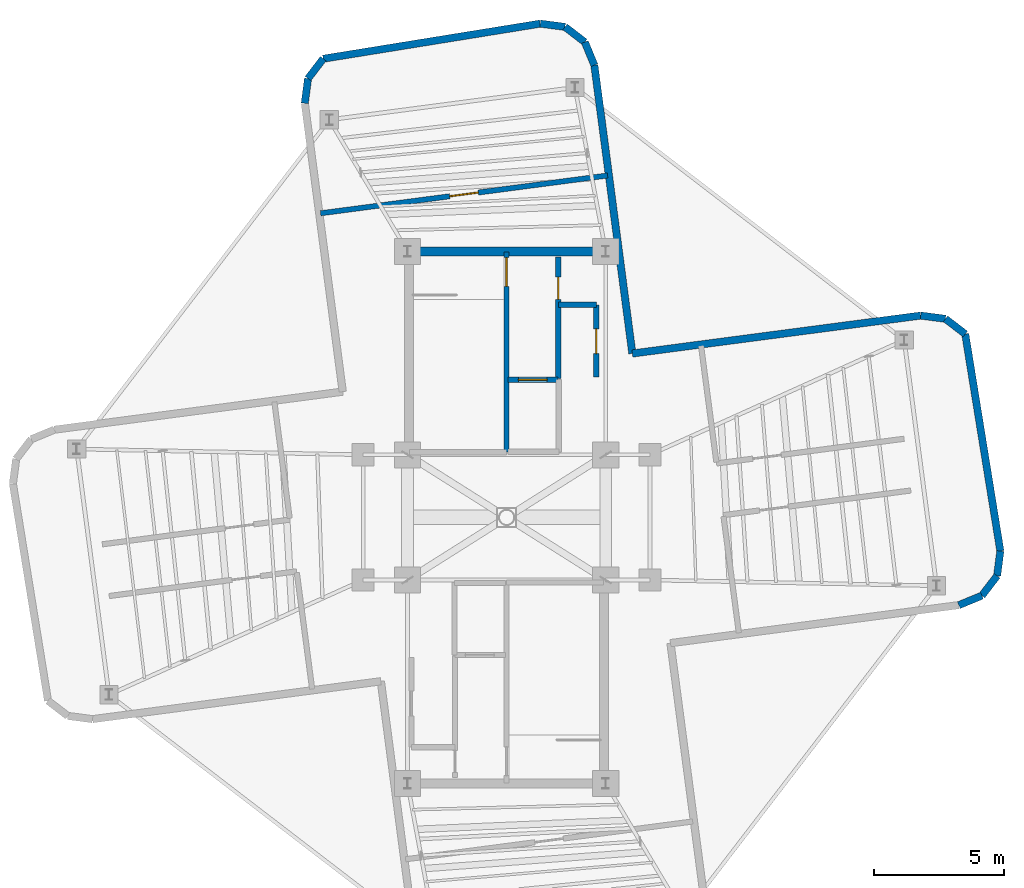
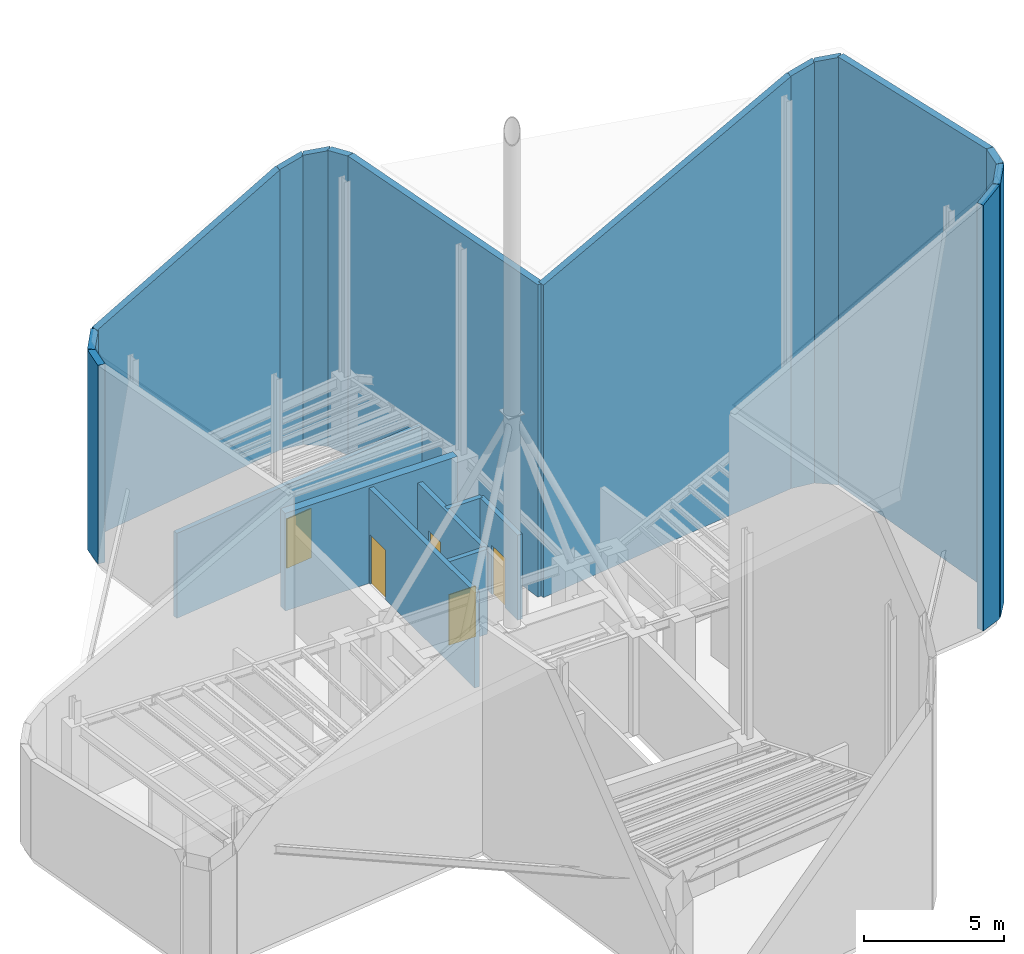
# One storey, part 7 of 8: 21 walls, 5 doors, 5 openings.
"""IFC4 building model written with IfcOpenShell, lengths in metres."""

from ifc_helpers import new_model, si_unit, direction, frame, frame_2d, origin, origin_2d, place, context, subcontext, project, spatial, polyline, rectangle, outline, extrude, source, transform, mapped, material, layer, layer_set, type_object, element, fill, save


model = new_model("IFC4")

# Units and contexts
model_context = context("Model", 3, precision=1e-05, world=origin(), true_north=direction((0.0, 1.0)))
body_context = subcontext(model_context, "Body", "Model", "MODEL_VIEW")
ifc_project = project(units=[si_unit("LENGTHUNIT", "METRE"), si_unit("AREAUNIT", "SQUARE_METRE"), si_unit("VOLUMEUNIT", "CUBIC_METRE"), si_unit("PLANEANGLEUNIT", "RADIAN"), si_unit("MASSUNIT", "GRAM", prefix="KILO")], contexts=[model_context])

# Site, building, storey
site_placement = place(None, origin())
site = spatial("IfcSite", under=ifc_project, at=site_placement, CompositionType="ELEMENT")
building_placement = place(site_placement, origin())
building = spatial("IfcBuilding", under=site, at=building_placement, Name="Sahyath Konkavel Grand Hotel", CompositionType="ELEMENT")
storey_placement = place(building_placement, frame((0.0, 0.0, 300.300048828125)))
storey = spatial("IfcBuildingStorey", under=building, at=storey_placement, Name="L83", CompositionType="ELEMENT", Elevation=300.300048828125)

# Wall
ifc_material_1 = material(Name="Concrete C40/50", Category="concrete")
ifc_layer_1 = layer(ifc_material_1, 0.35009765625)
ifc_layer_set_1 = layer_set([ifc_layer_1], Name="Concrete C40/50")
wall_type_1 = type_object("IfcWallType", Name="CWALL-350", PredefinedType="SHEAR", material=ifc_layer_set_1)
wall_1_placement = place(storey_placement, frame((-3.550048828125, 10.199951171875, 0.0), z_axis=(0.0, 0.0, 1.0), x_axis=(1.0, 0.0, 0.0)))
element("IfcWall", 1, at=wall_1_placement, inside=storey, type_object=wall_type_1, Name="L83 North Core Shear Wall N", PredefinedType="SHEAR", context=body_context, shape_type="SweptSolid", body=[
    extrude(rectangle(XDim=7.10009765625, YDim=0.35009765625, at=frame_2d((3.550048828125, 0.0))), origin(), (0.0, 0.0, 1.0), 4.25),
])

# Wall, opening, door
ifc_layer_2 = layer(ifc_material_1, 0.199951171875)
ifc_layer_set_2 = layer_set([ifc_layer_2], Name="Concrete C40/50")
wall_type_2 = type_object("IfcWallType", Name="WLL-CORE-200", PredefinedType="SOLIDWALL", material=ifc_layer_set_2)
wall_2_placement = place(storey_placement, frame((0.0, 2.5, 0.0), z_axis=(0.0, 0.0, 1.0), x_axis=(0.0, 1.0, 0.0)))
wall_2 = element("IfcWall", 2, at=wall_2_placement, inside=storey, type_object=wall_type_2, Name="L83 Stair ST-1 Shaft Wall E", PredefinedType="SOLIDWALL", context=body_context, shape_type="SweptSolid", body=[
    extrude(rectangle(XDim=7.679931640625, YDim=0.199951171875, at=frame_2d((3.83984375, 0.0))), origin(), (0.0, 0.0, 1.0), 4.14990234375),
])
opening_1_placement = place(wall_2_placement, frame((6.360107421875, 0.0, 0.0)))
opening_1 = element("IfcOpeningElement", 3, at=opening_1_placement, cuts=wall_2, Name="Opening D-F12B", PredefinedType="OPENING", context=body_context, shape_type="SweptSolid", body=[
    extrude(rectangle(XDim=1.10009765625, YDim=2.14990234375, at=frame_2d((0.550048828125, 1.074951171875))), frame((0.0, 0.10986328125, 0.0), z_axis=(0.0, -1.0, 0.0), x_axis=(1.0, 0.0, 0.0)), (0.0, 0.0, 1.0), 0.219970703125),
])
ifc_material_2 = material(Name="Steel E350 Smokeproof Fire Door", Category="steel")
door_type_1 = type_object("IfcDoorType", Name="DR-FD120-1100", OperationType="NOTDEFINED", PredefinedType="DOOR", material=ifc_material_2)
shared_shape_1 = source(origin(), body_context, "Body", "SweptSolid", [
    extrude(rectangle(XDim=1.10009765625, YDim=0.050048828125, at=origin_2d()), origin(), (0.0, 0.0, 1.0), 2.14990234375),
])
door_1_placement = place(opening_1_placement, frame((0.550048828125, 0.0, 0.0)))
door_1 = element("IfcDoor", 4, at=door_1_placement, inside=storey, type_object=door_type_1, Name="L83 Stair ST-1 Fire Door", OperationType="SINGLE_SWING_LEFT", OverallHeight=2.14990234375, OverallWidth=1.10009765625, PredefinedType="DOOR", context=body_context, shape_type="MappedRepresentation", body=[
    mapped(shared_shape_1, transform((0.0, 0.0, 0.0), scale=1.0)),
])
fill(opening_1, door_1)

wall_3_placement = place(storey_placement, frame((1.97998046875, 5.320068359375, 0.0), z_axis=(0.0, 0.0, 1.0), x_axis=(0.0, 1.0, 0.0)))
wall_3 = element("IfcWall", 5, at=wall_3_placement, inside=storey, type_object=wall_type_2, Name="L83 North Firefighting Lobby Wall E", PredefinedType="SOLIDWALL", context=body_context, shape_type="SweptSolid", body=[
    extrude(rectangle(XDim=4.659912109375, YDim=0.199951171875, at=frame_2d((2.330078125, 0.0))), origin(), (0.0, 0.0, 1.0), 3.699951171875),
])
opening_2_placement = place(wall_3_placement, frame((3.0400390625, 0.0, 0.0)))
opening_2 = element("IfcOpeningElement", 6, at=opening_2_placement, cuts=wall_3, Name="Opening D-F12D", PredefinedType="OPENING", context=body_context, shape_type="SweptSolid", body=[
    extrude(rectangle(XDim=0.85009765625, YDim=2.10009765625, at=frame_2d((0.425048828125, 1.050048828125))), frame((0.0, 0.10986328125, 0.0), z_axis=(0.0, -1.0, 0.0), x_axis=(1.0, 0.0, 0.0)), (0.0, 0.0, 1.0), 0.219970703125),
])
ifc_material_3 = material(Name="Steel E350 Core Fire Door", Category="steel")
door_type_2 = type_object("IfcDoorType", Name="DR-FD120-850", OperationType="NOTDEFINED", PredefinedType="DOOR", material=ifc_material_3)
shared_shape_2 = source(origin(), body_context, "Body", "SweptSolid", [
    extrude(rectangle(XDim=0.85009765625, YDim=0.050048828125, at=origin_2d()), origin(), (0.0, 0.0, 1.0), 2.10009765625),
])
door_2_placement = place(opening_2_placement, frame((0.425048828125, 0.0, 0.0)))
door_2 = element("IfcDoor", 7, at=door_2_placement, inside=storey, type_object=door_type_2, Name="L83 North Firefighting Lobby Door", OperationType="SINGLE_SWING_LEFT", OverallHeight=2.10009765625, OverallWidth=0.85009765625, PredefinedType="DOOR", context=body_context, shape_type="MappedRepresentation", body=[
    mapped(shared_shape_2, transform((0.0, 0.0, 0.0), scale=1.0)),
])
fill(opening_2, door_2)

wall_4_placement = place(storey_placement, frame((0.050048828125, 5.280029296875, 0.0), z_axis=(0.0, 0.0, 1.0), x_axis=(1.0, 0.0, 0.0)))
wall_4 = element("IfcWall", 8, at=wall_4_placement, inside=storey, type_object=wall_type_2, Name="L83 Partition SH-FFL1-N", PredefinedType="SOLIDWALL", context=body_context, shape_type="SweptSolid", body=[
    extrude(rectangle(XDim=1.929931640625, YDim=0.199951171875, at=frame_2d((0.96484375, 0.0))), origin(), (0.0, 0.0, 1.0), 3.699951171875),
])
opening_3_placement = place(wall_4_placement, frame((0.39990234375, 0.0, 0.0)))
opening_3 = element("IfcOpeningElement", 9, at=opening_3_placement, cuts=wall_4, Name="Opening LD-11", PredefinedType="OPENING", context=body_context, shape_type="SweptSolid", body=[
    extrude(rectangle(XDim=1.10009765625, YDim=2.199951171875, at=frame_2d((0.550048828125, 1.10009765625))), frame((0.0, 0.10986328125, 0.0), z_axis=(0.0, -1.0, 0.0), x_axis=(1.0, 0.0, 0.0)), (0.0, 0.0, 1.0), 0.219970703125),
])
ifc_material_4 = material(Name="Bronze Lift Landing Door 1100")
door_type_3 = type_object("IfcDoorType", Name="DR-LIFT-1100", OperationType="DOUBLE_DOOR_SLIDING", PredefinedType="DOOR", material=ifc_material_4)
shared_shape_3 = source(origin(), body_context, "Body", "SweptSolid", [
    extrude(rectangle(XDim=1.10009765625, YDim=0.050048828125, at=origin_2d()), origin(), (0.0, 0.0, 1.0), 2.199951171875),
])
door_3_placement = place(opening_3_placement, frame((0.550048828125, 0.0, 0.0)))
door_3 = element("IfcDoor", 10, at=door_3_placement, inside=storey, type_object=door_type_3, Name="L83 Lift FFL-1 Landing Door", OperationType="DOUBLE_DOOR_SLIDING", OverallHeight=2.199951171875, OverallWidth=1.10009765625, PredefinedType="DOOR", context=body_context, shape_type="MappedRepresentation", body=[
    mapped(shared_shape_3, transform((0.0, 0.0, 0.0), scale=1.0)),
])
fill(opening_3, door_3)

wall_5_placement = place(storey_placement, frame((3.43994140625, 5.3798828125, 0.0), z_axis=(0.0, 0.0, 1.0), x_axis=(0.0, 1.0, 0.0)))
wall_5 = element("IfcWall", 11, at=wall_5_placement, inside=storey, type_object=wall_type_2, Name="L83 Reclaimed North Core Wall E", PredefinedType="SOLIDWALL", context=body_context, shape_type="SweptSolid", body=[
    extrude(rectangle(XDim=2.77001953125, YDim=0.199951171875, at=frame_2d((1.385009765625, 0.0))), origin(), (0.0, 0.0, 1.0), 3.699951171875),
])
opening_4_placement = place(wall_5_placement, frame((0.89990234375, 0.0, 0.0)))
opening_4 = element("IfcOpeningElement", 12, at=opening_4_placement, cuts=wall_5, Name="Opening D-F06B", PredefinedType="OPENING", context=body_context, shape_type="SweptSolid", body=[
    extrude(rectangle(XDim=0.949951171875, YDim=2.14990234375, at=frame_2d((0.47509765625, 1.074951171875))), frame((0.0, 0.10986328125, 0.0), z_axis=(0.0, -1.0, 0.0), x_axis=(1.0, 0.0, 0.0)), (0.0, 0.0, 1.0), 0.219970703125),
])
ifc_material_5 = material(Name="Teak Veneer Fire-Rated Guest Entrance Door")
door_type_4 = type_object("IfcDoorType", Name="DR-FD60-950", OperationType="NOTDEFINED", PredefinedType="DOOR", material=ifc_material_5)
shared_shape_4 = source(origin(), body_context, "Body", "SweptSolid", [
    extrude(rectangle(XDim=0.949951171875, YDim=0.050048828125, at=origin_2d()), origin(), (0.0, 0.0, 1.0), 2.14990234375),
])
door_4_placement = place(opening_4_placement, frame((0.47509765625, 0.0, 0.0)))
door_4 = element("IfcDoor", 13, at=door_4_placement, inside=storey, type_object=door_type_4, Name="L83 Door NC-REC1-D", OperationType="SINGLE_SWING_LEFT", OverallHeight=2.14990234375, OverallWidth=0.949951171875, PredefinedType="DOOR", context=body_context, shape_type="MappedRepresentation", body=[
    mapped(shared_shape_4, transform((0.0, 0.0, 0.0), scale=1.0)),
])
fill(opening_4, door_4)

# Wall
wall_6_placement = place(storey_placement, frame((1.97998046875, 8.14990234375, 0.0), z_axis=(0.0, 0.0, 1.0), x_axis=(1.0, 0.0, 0.0)))
element("IfcWall", 14, at=wall_6_placement, inside=storey, type_object=wall_type_2, Name="L83 Partition NC-REC-N", PredefinedType="SOLIDWALL", context=body_context, shape_type="SweptSolid", body=[
    extrude(rectangle(XDim=1.4599609375, YDim=0.199951171875, at=frame_2d((0.72998046875, 0.0))), origin(), (0.0, 0.0, 1.0), 3.699951171875),
])

# Wall, opening, door
wall_7_placement = place(storey_placement, frame((3.872314453125, 13.107666015625, 0.0), z_axis=(0.0, 0.0, 1.0), x_axis=(-0.991443437127, -0.130537009991, 0.0)))
wall_7 = element("IfcWall", 15, at=wall_7_placement, inside=storey, type_object=wall_type_2, Name="L83 Partition CP-TEL-IN", PredefinedType="SOLIDWALL", context=body_context, shape_type="SweptSolid", body=[
    extrude(rectangle(XDim=11.10009765625, YDim=0.199951171875, at=frame_2d((5.550048828125, 0.0))), origin(), (0.0, 0.0, 1.0), 3.699951171875),
])
opening_5_placement = place(wall_7_placement, frame((5.0, 0.0, 0.0)))
opening_5 = element("IfcOpeningElement", 16, at=opening_5_placement, cuts=wall_7, Name="Opening D-F12B", PredefinedType="OPENING", context=body_context, shape_type="SweptSolid", body=[
    extrude(rectangle(XDim=1.10009765625, YDim=2.14990234375, at=frame_2d((0.550048828125, 1.074951171875))), frame((0.0, 0.10986328125, 0.0), z_axis=(0.0, -1.0, 0.0), x_axis=(1.0, 0.0, 0.0)), (0.0, 0.0, 1.0), 0.219970703125),
])
door_5_placement = place(opening_5_placement, frame((0.550048828125, 0.0, 0.0)))
door_5 = element("IfcDoor", 17, at=door_5_placement, inside=storey, type_object=door_type_1, Name="L83 Door CP-TEL-D", OperationType="SINGLE_SWING_LEFT", OverallHeight=2.14990234375, OverallWidth=1.10009765625, PredefinedType="DOOR", context=body_context, shape_type="MappedRepresentation", body=[
    mapped(shared_shape_1, transform((0.0, 0.0, 0.0), scale=1.0)),
])
fill(opening_5, door_5)

# Walls
ifc_material_6 = material(Name="Warm Buff Sandstone Insulated Concrete C40/50", Category="masonry")
ifc_layer_3 = layer(ifc_material_6, 0.280029296875)
ifc_layer_set_3 = layer_set([ifc_layer_3], Name="Warm Buff Sandstone Insulated Concrete C40/50")
wall_type_3 = type_object("IfcWallType", Name="WLL-CROWN-CLAD", PredefinedType="SOLIDWALL", material=ifc_layer_set_3)
wall_8_placement = place(storey_placement, frame((17.337646484375, -3.36572265625, 0.0), z_axis=(0.0, 0.0, 1.0), x_axis=(0.923889442397, 0.382659506909, 0.0)))
element("IfcWall", 18, at=wall_8_placement, inside=storey, type_object=wall_type_3, Name="L83 Sloped Crown Sandstone Cladding Wall 1", PredefinedType="SOLIDWALL", context=body_context, shape_type="SweptSolid", body=[
    extrude(outline(polyline([(0.0, 0.0), (0.957763671875, 0.0), (0.957763671875, 18.8779296875), (0.0, 18.529052734375), (0.0, 0.0)])), frame((0.0, 0.14013671875, 0.0), z_axis=(0.0, -1.0, 0.0), x_axis=(1.0, 0.0, 0.0)), (0.0, 0.0, 1.0), 0.280029296875),
])
wall_9_placement = place(storey_placement, frame((18.222412109375, -2.999267578125, 0.0), z_axis=(0.0, 0.0, 1.0), x_axis=(0.608774010809, 0.793343685778, 0.0)))
element("IfcWall", 19, at=wall_9_placement, inside=storey, type_object=wall_type_3, Name="L83 Sloped Crown Sandstone Cladding Wall 2", PredefinedType="SOLIDWALL", context=body_context, shape_type="SweptSolid", body=[
    extrude(outline(polyline([(0.0, 0.0), (0.957763671875, 0.0), (0.95751953125, 19.10791015625), (0.0, 18.8779296875), (0.0, 0.0)])), frame((0.0, 0.14013671875, 0.0), z_axis=(0.0, -1.0, 0.0), x_axis=(1.0, 0.0, 0.0)), (0.0, 0.0, 1.0), 0.280029296875),
])
wall_10_placement = place(storey_placement, frame((18.805419921875, -2.239501953125, 0.0), z_axis=(0.0, 0.0, 1.0), x_axis=(0.130527053476, 0.991444747987, 0.0)))
element("IfcWall", 20, at=wall_10_placement, inside=storey, type_object=wall_type_3, Name="L83 Sloped Crown Sandstone Cladding Wall 3", PredefinedType="SOLIDWALL", context=body_context, shape_type="SweptSolid", body=[
    extrude(outline(polyline([(0.0, 0.0), (0.957763671875, 0.0), (0.957763671875, 19.156982421875), (0.0, 19.10791015625), (0.0, 0.0)])), frame((0.0, 0.14013671875, 0.0), z_axis=(0.0, -1.0, 0.0), x_axis=(1.0, 0.0, 0.0)), (0.0, 0.0, 1.0), 0.280029296875),
])
wall_11_placement = place(storey_placement, frame((18.930419921875, -1.2900390625, 0.0), z_axis=(0.0, 0.0, 1.0), x_axis=(-0.159629483961, 0.987176999251, 0.0)))
element("IfcWall", 21, at=wall_11_placement, inside=storey, type_object=wall_type_3, Name="L83 Sloped Crown Sandstone Cladding Wall 4", PredefinedType="SOLIDWALL", context=body_context, shape_type="SweptSolid", body=[
    extrude(outline(polyline([(0.0, 0.0), (8.4287109375, 0.0), (8.428466796875, 18.626953125), (0.0, 19.156982421875), (0.0, 0.0)])), frame((0.0, 0.14013671875, 0.0), z_axis=(0.0, -1.0, 0.0), x_axis=(1.0, 0.0, 0.0)), (0.0, 0.0, 1.0), 0.280029296875),
])
wall_12_placement = place(storey_placement, frame((17.5849609375, 7.030517578125, 0.0), z_axis=(0.0, 0.0, 1.0), x_axis=(-0.793466811674, 0.60861352168, 0.0)))
element("IfcWall", 22, at=wall_12_placement, inside=storey, type_object=wall_type_3, Name="L83 Sloped Crown Sandstone Cladding Wall 5", PredefinedType="SOLIDWALL", context=body_context, shape_type="SweptSolid", body=[
    extrude(outline(polyline([(0.0, 0.0), (0.95751953125, 0.0), (0.95751953125, 18.327880859375), (0.0, 18.626953125), (0.0, 0.0)])), frame((0.0, 0.14013671875, 0.0), z_axis=(0.0, -1.0, 0.0), x_axis=(1.0, 0.0, 0.0)), (0.0, 0.0, 1.0), 0.280029296875),
])
wall_13_placement = place(storey_placement, frame((16.8251953125, 7.61328125, 0.0), z_axis=(0.0, 0.0, 1.0), x_axis=(-0.991444747987, 0.130527053476, 0.0)))
element("IfcWall", 23, at=wall_13_placement, inside=storey, type_object=wall_type_3, Name="L83 Sloped Crown Sandstone Cladding Wall 6", PredefinedType="SOLIDWALL", context=body_context, shape_type="SweptSolid", body=[
    extrude(outline(polyline([(0.0, 0.0), (0.957763671875, 0.0), (0.95751953125, 17.953857421875), (0.0, 18.327880859375), (0.0, 0.0)])), frame((0.0, 0.14013671875, 0.0), z_axis=(0.0, -1.0, 0.0), x_axis=(1.0, 0.0, 0.0)), (0.0, 0.0, 1.0), 0.280029296875),
])
wall_14_placement = place(storey_placement, frame((15.875732421875, 7.73828125, 0.0), z_axis=(0.0, 0.0, 1.0), x_axis=(-0.991445499165, -0.130521347626, 0.0)))
element("IfcWall", 24, at=wall_14_placement, inside=storey, type_object=wall_type_3, Name="L83 Sloped Crown Sandstone Cladding Wall 7", PredefinedType="SOLIDWALL", context=body_context, shape_type="SweptSolid", body=[
    extrude(outline(polyline([(0.0, 0.0), (11.150146484375, 0.0), (11.150146484375, 13.598876953125), (0.0, 17.953857421875), (0.0, 0.0)])), frame((0.0, 0.14013671875, 0.0), z_axis=(0.0, -1.0, 0.0), x_axis=(1.0, 0.0, 0.0)), (0.0, 0.0, 1.0), 0.280029296875),
])
wall_15_placement = place(storey_placement, frame((4.821044921875, 6.282958984375, 0.0), z_axis=(0.0, 0.0, 1.0), x_axis=(-0.130521347626, 0.991445499165, 0.0)))
element("IfcWall", 25, at=wall_15_placement, inside=storey, type_object=wall_type_3, Name="L83 Sloped Crown Sandstone Cladding Wall 8", PredefinedType="SOLIDWALL", context=body_context, shape_type="SweptSolid", body=[
    extrude(outline(polyline([(0.0, 0.0), (11.150146484375, 0.0), (11.14990234375, 13.02587890625), (0.0, 13.598876953125), (0.0, 0.0)])), frame((0.0, 0.14013671875, 0.0), z_axis=(0.0, -1.0, 0.0), x_axis=(1.0, 0.0, 0.0)), (0.0, 0.0, 1.0), 0.280029296875),
])
wall_16_placement = place(storey_placement, frame((3.36572265625, 17.337646484375, 0.0), z_axis=(0.0, 0.0, 1.0), x_axis=(-0.382659506909, 0.923889442397, 0.0)))
element("IfcWall", 26, at=wall_16_placement, inside=storey, type_object=wall_type_3, Name="L83 Sloped Crown Sandstone Cladding Wall 9", PredefinedType="SOLIDWALL", context=body_context, shape_type="SweptSolid", body=[
    extrude(outline(polyline([(0.0, 0.0), (0.957763671875, 0.0), (0.957763671875, 12.880859375), (0.0, 13.02587890625), (0.0, 0.0)])), frame((0.0, 0.14013671875, 0.0), z_axis=(0.0, -1.0, 0.0), x_axis=(1.0, 0.0, 0.0)), (0.0, 0.0, 1.0), 0.280029296875),
])
wall_17_placement = place(storey_placement, frame((2.999267578125, 18.222412109375, 0.0), z_axis=(0.0, 0.0, 1.0), x_axis=(-0.793343685778, 0.608774010809, 0.0)))
element("IfcWall", 27, at=wall_17_placement, inside=storey, type_object=wall_type_3, Name="L83 Sloped Crown Sandstone Cladding Wall 10", PredefinedType="SOLIDWALL", context=body_context, shape_type="SweptSolid", body=[
    extrude(outline(polyline([(0.0, 0.0), (0.957763671875, 0.0), (0.95751953125, 12.58203125), (0.0, 12.880859375), (0.0, 0.0)])), frame((0.0, 0.14013671875, 0.0), z_axis=(0.0, -1.0, 0.0), x_axis=(1.0, 0.0, 0.0)), (0.0, 0.0, 1.0), 0.280029296875),
])
wall_18_placement = place(storey_placement, frame((2.239501953125, 18.805419921875, 0.0), z_axis=(0.0, 0.0, 1.0), x_axis=(-0.991444747987, 0.130527053476, 0.0)))
element("IfcWall", 28, at=wall_18_placement, inside=storey, type_object=wall_type_3, Name="L83 Sloped Crown Sandstone Cladding Wall 11", PredefinedType="SOLIDWALL", context=body_context, shape_type="SweptSolid", body=[
    extrude(outline(polyline([(0.0, 0.0), (0.957763671875, 0.0), (0.957763671875, 12.2080078125), (0.0, 12.58203125), (0.0, 0.0)])), frame((0.0, 0.14013671875, 0.0), z_axis=(0.0, -1.0, 0.0), x_axis=(1.0, 0.0, 0.0)), (0.0, 0.0, 1.0), 0.280029296875),
])
wall_19_placement = place(storey_placement, frame((1.2900390625, 18.930419921875, 0.0), z_axis=(0.0, 0.0, 1.0), x_axis=(-0.987176999251, -0.159629483961, 0.0)))
element("IfcWall", 29, at=wall_19_placement, inside=storey, type_object=wall_type_3, Name="L83 Sloped Crown Sandstone Cladding Wall 12", PredefinedType="SOLIDWALL", context=body_context, shape_type="SweptSolid", body=[
    extrude(outline(polyline([(0.0, 0.0), (8.4287109375, 0.0), (8.428466796875, 8.930908203125), (0.0, 12.2080078125), (0.0, 0.0)])), frame((0.0, 0.14013671875, 0.0), z_axis=(0.0, -1.0, 0.0), x_axis=(1.0, 0.0, 0.0)), (0.0, 0.0, 1.0), 0.280029296875),
])
wall_20_placement = place(storey_placement, frame((-7.030517578125, 17.5849609375, 0.0), z_axis=(0.0, 0.0, 1.0), x_axis=(-0.60861352168, -0.793466811674, 0.0)))
element("IfcWall", 30, at=wall_20_placement, inside=storey, type_object=wall_type_3, Name="L83 Sloped Crown Sandstone Cladding Wall 13", PredefinedType="SOLIDWALL", context=body_context, shape_type="SweptSolid", body=[
    extrude(outline(polyline([(0.0, 0.0), (0.95751953125, 0.0), (0.95751953125, 8.700927734375), (0.0, 8.930908203125), (0.0, 0.0)])), frame((0.0, 0.14013671875, 0.0), z_axis=(0.0, -1.0, 0.0), x_axis=(1.0, 0.0, 0.0)), (0.0, 0.0, 1.0), 0.280029296875),
])
wall_21_placement = place(storey_placement, frame((-7.61328125, 16.8251953125, 0.0), z_axis=(0.0, 0.0, 1.0), x_axis=(-0.130527053476, -0.991444747987, 0.0)))
element("IfcWall", 31, at=wall_21_placement, inside=storey, type_object=wall_type_3, Name="L83 Sloped Crown Sandstone Cladding Wall 14", PredefinedType="SOLIDWALL", context=body_context, shape_type="SweptSolid", body=[
    extrude(outline(polyline([(0.0, 0.0), (0.957763671875, 0.0), (0.95751953125, 8.65185546875), (0.0, 8.700927734375), (0.0, 0.0)])), frame((0.0, 0.14013671875, 0.0), z_axis=(0.0, -1.0, 0.0), x_axis=(1.0, 0.0, 0.0)), (0.0, 0.0, 1.0), 0.280029296875),
])

save(model, "model.ifc")
